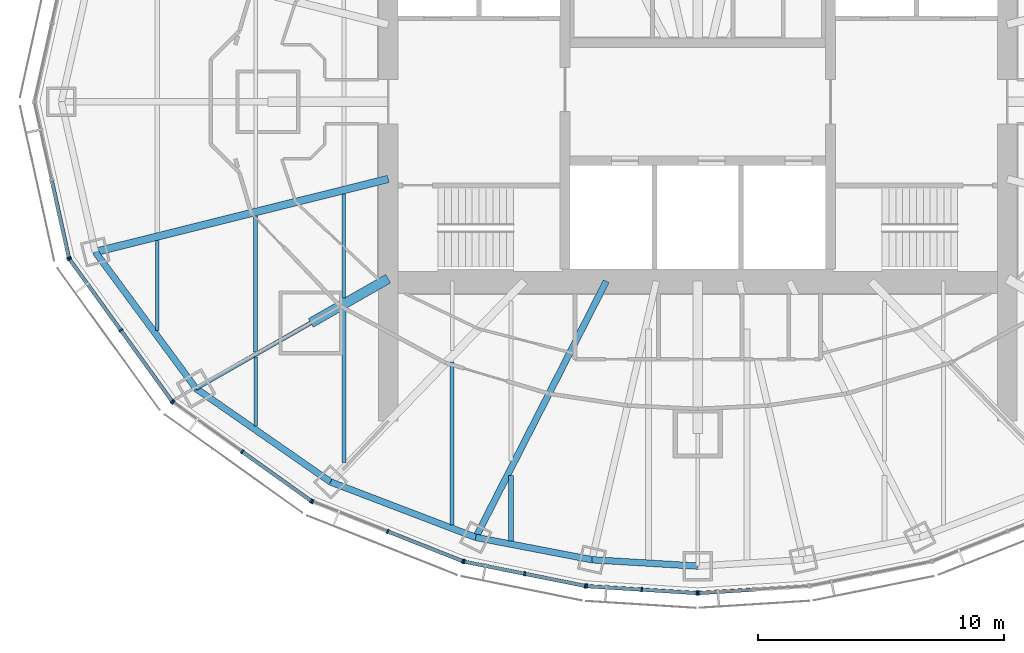
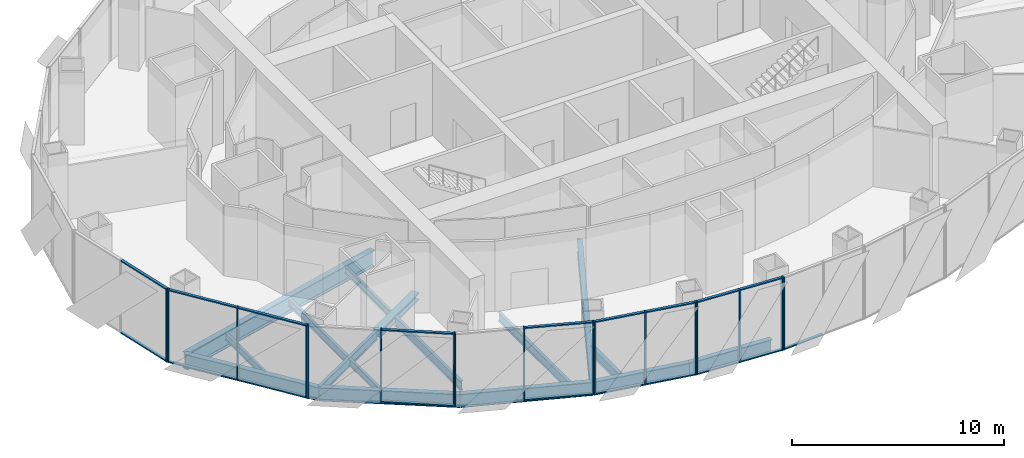
# One storey, part 2 of 17: 36 members, 16 beams, 7 elements without a shape of their own.
"""IFC4 building model written with IfcOpenShell, lengths in metres."""

from ifc_helpers import new_model, si_unit, direction, frame, origin, origin_2d, place, context, subcontext, project, spatial, rectangle, i_section, extrude, material, material_profile, profile_set, type_object, element, aggregate, save


model = new_model("IFC4")

# Units and contexts
model_context = context("Model", 3, precision=1e-05, world=origin(), true_north=direction((0.0, 1.0)))
body_context = subcontext(model_context, "Body", "Model", "MODEL_VIEW")
ifc_project = project(units=[si_unit("LENGTHUNIT", "METRE"), si_unit("AREAUNIT", "SQUARE_METRE"), si_unit("VOLUMEUNIT", "CUBIC_METRE"), si_unit("PLANEANGLEUNIT", "RADIAN"), si_unit("MASSUNIT", "GRAM", prefix="KILO")], contexts=[model_context])

# Site, building, storey
site_placement = place(None, origin())
site = spatial("IfcSite", under=ifc_project, at=site_placement, CompositionType="ELEMENT")
building_placement = place(site_placement, origin())
building = spatial("IfcBuilding", under=site, at=building_placement, Name="Lantaw Convention Tower", CompositionType="ELEMENT")
storey_placement = place(building_placement, frame((0.0, 0.0, 211.60009765625)))
storey = spatial("IfcBuildingStorey", under=building, at=storey_placement, Name="L49", CompositionType="ELEMENT", Elevation=211.60009765625)

# Beams
ifc_material_1 = material(Name="Steel ASTM A992", Category="steel")
ifc_material_profile_1 = material_profile(ifc_material_1, i_section(OverallWidth=0.2666015625, OverallDepth=0.76953125, WebThickness=0.015625, FlangeThickness=0.025390625, FilletRadius=0.0126953125, at=origin_2d()), Name="W30X132")
ifc_profile_set_1 = profile_set([ifc_material_profile_1], Name="Steel ASTM A992")
beam_type_1 = type_object("IfcBeamType", Name="Beam E W30X132", PredefinedType="SPANDREL", material=ifc_profile_set_1)
beam_1_placement = place(storey_placement, frame((-24.52197265625, -6.114013671875, -0.534912109375), z_axis=(0.593639188853, -0.804731329984, 0.0), x_axis=(0.804731329984, 0.593639188853, 0.0)))
element("IfcBeam", 1, at=beam_1_placement, inside=storey, type_object=beam_type_1, Name="Edge beam 14", PredefinedType="SPANDREL", context=body_context, shape_type="SweptSolid", body=[
    extrude(i_section(OverallWidth=0.2666015625, OverallDepth=0.76953125, WebThickness=0.015625, FlangeThickness=0.025390625, FilletRadius=0.0126953125, at=origin_2d()), origin(), (0.0, 0.0, 1.0), 6.904541015625),
])
beam_2_placement = place(storey_placement, frame((-20.423095703125, -11.67041015625, -0.534912109375), z_axis=(0.82135329406, -0.570419815869, 0.0), x_axis=(0.570419815869, 0.82135329406, 0.0)))
element("IfcBeam", 2, at=beam_2_placement, inside=storey, type_object=beam_type_1, Name="Edge beam 15", PredefinedType="SPANDREL", context=body_context, shape_type="SweptSolid", body=[
    extrude(i_section(OverallWidth=0.2666015625, OverallDepth=0.76953125, WebThickness=0.015625, FlangeThickness=0.025390625, FilletRadius=0.0126953125, at=origin_2d()), origin(), (0.0, 0.0, 1.0), 6.67041015625),
])
beam_3_placement = place(storey_placement, frame((-14.9443359375, -15.475341796875, -0.534912109375), z_axis=(0.934234988, -0.356658081637, 0.0), x_axis=(0.356658081637, 0.934234988, 0.0)))
element("IfcBeam", 3, at=beam_3_placement, inside=storey, type_object=beam_type_1, Name="Edge beam 16", PredefinedType="SPANDREL", context=body_context, shape_type="SweptSolid", body=[
    extrude(i_section(OverallWidth=0.2666015625, OverallDepth=0.76953125, WebThickness=0.015625, FlangeThickness=0.025390625, FilletRadius=0.0126953125, at=origin_2d()), origin(), (0.0, 0.0, 1.0), 6.32568359375),
])
beam_4_placement = place(storey_placement, frame((-9.03466796875, -17.7314453125, -0.534912109375), z_axis=(0.981972091702, -0.189025953556, 0.0), x_axis=(0.189025953556, 0.981972091702, 0.0)))
element("IfcBeam", 4, at=beam_4_placement, inside=storey, type_object=beam_type_1, Name="Edge beam 17", PredefinedType="SPANDREL", context=body_context, shape_type="SweptSolid", body=[
    extrude(i_section(OverallWidth=0.2666015625, OverallDepth=0.76953125, WebThickness=0.015625, FlangeThickness=0.025390625, FilletRadius=0.0126953125, at=origin_2d()), origin(), (0.0, 0.0, 1.0), 4.817626953125),
])
beam_5_placement = place(storey_placement, frame((-4.303955078125, -18.64208984375, -0.534912109375), z_axis=(0.998210730897, -0.059794119452, 0.0), x_axis=(0.059794119452, 0.998210730897, 0.0)))
element("IfcBeam", 5, at=beam_5_placement, inside=storey, type_object=beam_type_1, Name="Edge beam 18", PredefinedType="SPANDREL", context=body_context, shape_type="SweptSolid", body=[
    extrude(i_section(OverallWidth=0.2666015625, OverallDepth=0.76953125, WebThickness=0.015625, FlangeThickness=0.025390625, FilletRadius=0.0126953125, at=origin_2d()), origin(), (0.0, 0.0, 1.0), 4.311767578125),
])
ifc_material_profile_2 = material_profile(ifc_material_1, i_section(OverallWidth=0.1650390625, OverallDepth=0.52587890625, WebThickness=0.0087890625, FlangeThickness=0.011474609375, FilletRadius=0.0126953125, at=origin_2d()), Name="W21X44")
ifc_profile_set_2 = profile_set([ifc_material_profile_2], Name="Steel ASTM A992")
beam_type_2 = type_object("IfcBeamType", Name="Beam G W21X44", PredefinedType="BEAM", material=ifc_profile_set_2)
beam_6_placement = place(storey_placement, frame((-15.75, -9.0, -0.4130859375), z_axis=(-0.868237559289, -0.496148708192, 0.0), x_axis=(0.496148708192, -0.868237559289, 0.0)))
element("IfcBeam", 6, at=beam_6_placement, inside=storey, type_object=beam_type_2, Name="Floor girder on ray 15", PredefinedType="BEAM", context=body_context, shape_type="SweptSolid", body=[
    extrude(i_section(OverallWidth=0.1650390625, OverallDepth=0.52587890625, WebThickness=0.0087890625, FlangeThickness=0.011474609375, FilletRadius=0.0126953125, at=origin_2d()), origin(), (0.0, 0.0, 1.0), 5.38232421875),
])
ifc_material_profile_3 = material_profile(ifc_material_1, i_section(OverallWidth=0.2666015625, OverallDepth=0.7568359375, WebThickness=0.013916015625, FlangeThickness=0.019287109375, FilletRadius=0.0126953125, at=origin_2d()), Name="W30X108")
ifc_profile_set_3 = profile_set([ifc_material_profile_3], Name="Steel ASTM A992")
beam_type_3 = type_object("IfcBeamType", Name="Beam G W30X108", PredefinedType="BEAM", material=ifc_profile_set_3)
beam_7_placement = place(storey_placement, frame((-3.719482421875, -7.300048828125, -0.528564453125), z_axis=(-0.4539988787, -0.891002254845, 0.0), x_axis=(0.891002254845, -0.4539988787, 0.0)))
element("IfcBeam", 7, at=beam_7_placement, inside=storey, type_object=beam_type_3, Name="Floor girder on ray 17", PredefinedType="BEAM", context=body_context, shape_type="SweptSolid", body=[
    extrude(i_section(OverallWidth=0.2666015625, OverallDepth=0.7568359375, WebThickness=0.013916015625, FlangeThickness=0.019287109375, FilletRadius=0.0126953125, at=origin_2d()), origin(), (0.0, 0.0, 1.0), 11.70751953125),
])
ifc_material_profile_4 = material_profile(ifc_material_1, i_section(OverallWidth=0.307373046875, OverallDepth=0.9423828125, WebThickness=0.022216796875, FlangeThickness=0.039794921875, FilletRadius=0.0126953125, at=origin_2d()), Name="W36X232")
ifc_profile_set_4 = profile_set([ifc_material_profile_4], Name="Steel ASTM A992")
beam_type_4 = type_object("IfcBeamType", Name="Beam G W36X232", PredefinedType="BEAM", material=ifc_profile_set_4)
beam_8_placement = place(storey_placement, frame((-12.60009765625, -3.1416015625, -0.621337890625), z_axis=(-0.970296589314, -0.241918434119, 0.0), x_axis=(0.241918434119, -0.970296589314, 0.0)))
element("IfcBeam", 8, at=beam_8_placement, inside=storey, type_object=beam_type_4, Name="Floor girder on ray 14", PredefinedType="BEAM", context=body_context, shape_type="SweptSolid", body=[
    extrude(i_section(OverallWidth=0.307373046875, OverallDepth=0.9423828125, WebThickness=0.022216796875, FlangeThickness=0.039794921875, FilletRadius=0.0126953125, at=origin_2d()), origin(), (0.0, 0.0, 1.0), 12.286865234375),
])
ifc_material_profile_5 = material_profile(ifc_material_1, i_section(OverallWidth=0.40380859375, OverallDepth=0.406494140625, WebThickness=0.027099609375, FlangeThickness=0.043701171875, FilletRadius=0.01513671875, at=origin_2d()), Name="W14X233")
ifc_profile_set_5 = profile_set([ifc_material_profile_5], Name="Steel ASTM A992")
beam_type_5 = type_object("IfcBeamType", Name="Beam GM W14X233", PredefinedType="BEAM", material=ifc_profile_set_5)
beam_9_placement = place(storey_placement, frame((-12.60009765625, -7.199951171875, -0.353271484375), z_axis=(-0.868230718294, -0.496160679428, 0.0), x_axis=(0.496160679428, -0.868230718294, 0.0)))
element("IfcBeam", 9, at=beam_9_placement, inside=storey, type_object=beam_type_5, Name="Core link beam on ray 15", PredefinedType="BEAM", context=body_context, shape_type="SweptSolid", body=[
    extrude(i_section(OverallWidth=0.40380859375, OverallDepth=0.406494140625, WebThickness=0.027099609375, FlangeThickness=0.043701171875, FilletRadius=0.01513671875, at=origin_2d()), origin(), (0.0, 0.0, 1.0), 3.6279296875),
])
ifc_material_profile_6 = material_profile(ifc_material_1, i_section(OverallWidth=0.140380859375, OverallDepth=0.40380859375, WebThickness=0.007080078125, FlangeThickness=0.01123046875, FilletRadius=0.01025390625, at=origin_2d()), Name="W16X31")
ifc_profile_set_6 = profile_set([ifc_material_profile_6], Name="Steel ASTM A992")
beam_type_6 = type_object("IfcBeamType", Name="Beam J W16X31", PredefinedType="JOIST", material=ifc_profile_set_6)
beam_10_placement = place(storey_placement, frame((-22.0, -9.30810546875, -0.35205078125), z_axis=(0.0, 1.0, 0.0), x_axis=(-1.0, 0.0, 0.0)))
element("IfcBeam", 10, at=beam_10_placement, inside=storey, type_object=beam_type_6, Name="Floor joist", PredefinedType="JOIST", context=body_context, shape_type="SweptSolid", body=[
    extrude(i_section(OverallWidth=0.140380859375, OverallDepth=0.40380859375, WebThickness=0.007080078125, FlangeThickness=0.01123046875, FilletRadius=0.01025390625, at=origin_2d()), origin(), (0.0, 0.0, 1.0), 3.66455078125),
])
beam_11_placement = place(storey_placement, frame((-18.0, -13.19091796875, -0.35205078125), z_axis=(0.0, 1.0, 0.0), x_axis=(-1.0, 0.0, 0.0)))
element("IfcBeam", 11, at=beam_11_placement, inside=storey, type_object=beam_type_6, Name="Floor joist", PredefinedType="JOIST", context=body_context, shape_type="SweptSolid", body=[
    extrude(i_section(OverallWidth=0.140380859375, OverallDepth=0.40380859375, WebThickness=0.007080078125, FlangeThickness=0.01123046875, FilletRadius=0.01025390625, at=origin_2d()), origin(), (0.0, 0.0, 1.0), 2.81005859375),
])
beam_12_placement = place(storey_placement, frame((-14.39990234375, -7.99609375, -0.35205078125), z_axis=(0.0, 1.0, 0.0), x_axis=(-1.0, 0.0, 0.0)))
element("IfcBeam", 12, at=beam_12_placement, inside=storey, type_object=beam_type_6, Name="Floor joist", PredefinedType="JOIST", context=body_context, shape_type="SweptSolid", body=[
    extrude(i_section(OverallWidth=0.140380859375, OverallDepth=0.40380859375, WebThickness=0.007080078125, FlangeThickness=0.01123046875, FilletRadius=0.01025390625, at=origin_2d()), origin(), (0.0, 0.0, 1.0), 4.247314453125),
])
ifc_material_profile_7 = material_profile(ifc_material_1, i_section(OverallWidth=0.15234375, OverallDepth=0.449462890625, WebThickness=0.007568359375, FlangeThickness=0.0107421875, FilletRadius=0.01025390625, at=origin_2d()), Name="W18X35")
ifc_profile_set_7 = profile_set([ifc_material_profile_7], Name="Steel ASTM A992")
beam_type_7 = type_object("IfcBeamType", Name="Beam J W18X35", PredefinedType="JOIST", material=ifc_profile_set_7)
beam_13_placement = place(storey_placement, frame((-18.0, -10.190673828125, -0.375), z_axis=(0.0, 1.0, 0.0), x_axis=(-1.0, 0.0, 0.0)))
element("IfcBeam", 13, at=beam_13_placement, inside=storey, type_object=beam_type_7, Name="Floor joist", PredefinedType="JOIST", context=body_context, shape_type="SweptSolid", body=[
    extrude(i_section(OverallWidth=0.15234375, OverallDepth=0.449462890625, WebThickness=0.007568359375, FlangeThickness=0.0107421875, FilletRadius=0.01025390625, at=origin_2d()), origin(), (0.0, 0.0, 1.0), 5.54443359375),
])
ifc_material_profile_8 = material_profile(ifc_material_1, i_section(OverallWidth=0.1650390625, OverallDepth=0.52587890625, WebThickness=0.0087890625, FlangeThickness=0.011474609375, FilletRadius=0.0126953125, at=origin_2d()), Name="W21X44")
ifc_profile_set_8 = profile_set([ifc_material_profile_8], Name="Steel ASTM A992")
beam_type_8 = type_object("IfcBeamType", Name="Beam J W21X44", PredefinedType="JOIST", material=ifc_profile_set_8)
beam_14_placement = place(storey_placement, frame((-14.39990234375, -14.67578125, -0.4130859375), z_axis=(0.0, 1.0, 0.0), x_axis=(-1.0, 0.0, 0.0)))
element("IfcBeam", 14, at=beam_14_placement, inside=storey, type_object=beam_type_8, Name="Floor joist", PredefinedType="JOIST", context=body_context, shape_type="SweptSolid", body=[
    extrude(i_section(OverallWidth=0.1650390625, OverallDepth=0.52587890625, WebThickness=0.0087890625, FlangeThickness=0.011474609375, FilletRadius=0.0126953125, at=origin_2d()), origin(), (0.0, 0.0, 1.0), 6.214599609375),
])
beam_15_placement = place(storey_placement, frame((-10.0, -17.22021484375, -0.4130859375), z_axis=(0.0, 1.0, 0.0), x_axis=(-1.0, 0.0, 0.0)))
element("IfcBeam", 15, at=beam_15_placement, inside=storey, type_object=beam_type_8, Name="Floor joist", PredefinedType="JOIST", context=body_context, shape_type="SweptSolid", body=[
    extrude(i_section(OverallWidth=0.1650390625, OverallDepth=0.52587890625, WebThickness=0.0087890625, FlangeThickness=0.011474609375, FilletRadius=0.0126953125, at=origin_2d()), origin(), (0.0, 0.0, 1.0), 6.629150390625),
])
ifc_material_profile_9 = material_profile(ifc_material_1, i_section(OverallWidth=0.2099609375, OverallDepth=0.535888671875, WebThickness=0.010986328125, FlangeThickness=0.017333984375, FilletRadius=0.012939453125, at=origin_2d()), Name="W21X68")
ifc_profile_set_9 = profile_set([ifc_material_profile_9], Name="Steel ASTM A992")
beam_type_9 = type_object("IfcBeamType", Name="Beam J W21X68", PredefinedType="JOIST", material=ifc_profile_set_9)
beam_16_placement = place(storey_placement, frame((-7.60009765625, -17.871826171875, -0.41796875), z_axis=(0.0, 1.0, 0.0), x_axis=(-1.0, 0.0, 0.0)))
element("IfcBeam", 16, at=beam_16_placement, inside=storey, type_object=beam_type_9, Name="Floor joist", PredefinedType="JOIST", context=body_context, shape_type="SweptSolid", body=[
    extrude(i_section(OverallWidth=0.2099609375, OverallDepth=0.535888671875, WebThickness=0.010986328125, FlangeThickness=0.017333984375, FilletRadius=0.012939453125, at=origin_2d()), origin(), (0.0, 0.0, 1.0), 2.662353515625),
])

# Curtain wall, member
ifc_material_2 = material(Name="Aluminium framed curtain wall", Category="aluminium")
curtain_wall_type = type_object("IfcCurtainWallType", Name="Office curtain wall high rise, pale aluminium", PredefinedType="USERDEFINED", material=ifc_material_2)
curtain_wall_1_placement = place(storey_placement, origin())
curtain_wall_1 = element("IfcCurtainWall", 17, at=curtain_wall_1_placement, inside=storey, type_object=curtain_wall_type, Name="Office curtain wall high rise, pale aluminium L49", ObjectType="UNITISED CURTAIN WALL", PredefinedType="USERDEFINED")
ifc_material_3 = material(Name="Aluminium 6063-T6", Category="aluminium")
ifc_material_profile_10 = material_profile(ifc_material_3, rectangle(XDim=0.179931640625, YDim=0.06494140625, at=origin_2d()), Name="CW-O2 mullion 65x180")
ifc_profile_set_10 = profile_set([ifc_material_profile_10], Name="Aluminium 6063-T6")
member_type_1 = type_object("IfcMemberType", Name="CW-O2 mullion 65x180", PredefinedType="MULLION", material=ifc_profile_set_10)
member_1_placement = place(storey_placement, frame((-25.596435546875, -6.348388671875, -0.150146484375), z_axis=(0.0, 0.0, 1.0), x_axis=(0.976417396437, 0.215891333626, 0.0)))
member_1 = element("IfcMember", 18, at=member_1_placement, type_object=member_type_1, Name="CW-O2 mullion 3", PredefinedType="MULLION", context=body_context, shape_type="SweptSolid", body=[
    extrude(rectangle(XDim=0.179931640625, YDim=0.06494140625, at=origin_2d()), origin(), (0.0, 0.0, 1.0), 4.199951171875),
])

# Curtain wall, members
curtain_wall_2_placement = place(storey_placement, origin())
curtain_wall_2 = element("IfcCurtainWall", 19, at=curtain_wall_2_placement, inside=storey, type_object=curtain_wall_type, Name="Office curtain wall high rise, pale aluminium L49", ObjectType="UNITISED CURTAIN WALL", PredefinedType="USERDEFINED")
member_2_placement = place(storey_placement, frame((-25.5703125, -6.406494140625, -0.150146484375), z_axis=(0.0, 0.0, 1.0), x_axis=(0.810919559405, 0.585157643865, 0.0)))
member_2 = element("IfcMember", 20, at=member_2_placement, type_object=member_type_1, Name="CW-O2 mullion 1", PredefinedType="MULLION", context=body_context, shape_type="SweptSolid", body=[
    extrude(rectangle(XDim=0.179931640625, YDim=0.06494140625, at=origin_2d()), origin(), (0.0, 0.0, 1.0), 4.199951171875),
])
member_3_placement = place(storey_placement, frame((-23.483642578125, -9.298095703125, -0.150146484375), z_axis=(0.0, 0.0, 1.0), x_axis=(0.810919559405, 0.585157643865, 0.0)))
member_3 = element("IfcMember", 21, at=member_3_placement, type_object=member_type_1, Name="CW-O2 mullion 2", PredefinedType="MULLION", context=body_context, shape_type="SweptSolid", body=[
    extrude(rectangle(XDim=0.179931640625, YDim=0.06494140625, at=origin_2d()), origin(), (0.0, 0.0, 1.0), 4.199951171875),
])
member_4_placement = place(storey_placement, frame((-21.397216796875, -12.189697265625, -0.150146484375), z_axis=(0.0, 0.0, 1.0), x_axis=(0.810919559405, 0.585157643865, 0.0)))
member_4 = element("IfcMember", 22, at=member_4_placement, type_object=member_type_1, Name="CW-O2 mullion 3", PredefinedType="MULLION", context=body_context, shape_type="SweptSolid", body=[
    extrude(rectangle(XDim=0.179931640625, YDim=0.06494140625, at=origin_2d()), origin(), (0.0, 0.0, 1.0), 4.199951171875),
])

curtain_wall_3_placement = place(storey_placement, origin())
curtain_wall_3 = element("IfcCurtainWall", 23, at=curtain_wall_3_placement, inside=storey, type_object=curtain_wall_type, Name="Office curtain wall high rise, pale aluminium L49", ObjectType="UNITISED CURTAIN WALL", PredefinedType="USERDEFINED")
member_5_placement = place(storey_placement, frame((-21.3515625, -12.23486328125, -0.150146484375), z_axis=(0.0, 0.0, 1.0), x_axis=(0.581323487281, 0.813672540482, 0.0)))
member_5 = element("IfcMember", 24, at=member_5_placement, type_object=member_type_1, Name="CW-O2 mullion 1", PredefinedType="MULLION", context=body_context, shape_type="SweptSolid", body=[
    extrude(rectangle(XDim=0.179931640625, YDim=0.06494140625, at=origin_2d()), origin(), (0.0, 0.0, 1.0), 4.199951171875),
])
member_6_placement = place(storey_placement, frame((-18.543212890625, -14.241455078125, -0.150146484375), z_axis=(0.0, 0.0, 1.0), x_axis=(0.581323487281, 0.813672540482, 0.0)))
member_6 = element("IfcMember", 25, at=member_6_placement, type_object=member_type_1, Name="CW-O2 mullion 2", PredefinedType="MULLION", context=body_context, shape_type="SweptSolid", body=[
    extrude(rectangle(XDim=0.179931640625, YDim=0.06494140625, at=origin_2d()), origin(), (0.0, 0.0, 1.0), 4.199951171875),
])
member_7_placement = place(storey_placement, frame((-15.73486328125, -16.247802734375, -0.150146484375), z_axis=(0.0, 0.0, 1.0), x_axis=(0.581323487281, 0.813672540482, 0.0)))
member_7 = element("IfcMember", 26, at=member_7_placement, type_object=member_type_1, Name="CW-O2 mullion 3", PredefinedType="MULLION", context=body_context, shape_type="SweptSolid", body=[
    extrude(rectangle(XDim=0.179931640625, YDim=0.06494140625, at=origin_2d()), origin(), (0.0, 0.0, 1.0), 4.199951171875),
])

curtain_wall_4_placement = place(storey_placement, origin())
curtain_wall_4 = element("IfcCurtainWall", 27, at=curtain_wall_4_placement, inside=storey, type_object=curtain_wall_type, Name="Office curtain wall high rise, pale aluminium L49", ObjectType="UNITISED CURTAIN WALL", PredefinedType="USERDEFINED")
member_8_placement = place(storey_placement, frame((-15.67822265625, -16.278564453125, -0.150146484375), z_axis=(0.0, 0.0, 1.0), x_axis=(0.368162315252, 0.929761533743, 0.0)))
member_8 = element("IfcMember", 28, at=member_8_placement, type_object=member_type_1, Name="CW-O2 mullion 1", PredefinedType="MULLION", context=body_context, shape_type="SweptSolid", body=[
    extrude(rectangle(XDim=0.179931640625, YDim=0.06494140625, at=origin_2d()), origin(), (0.0, 0.0, 1.0), 4.199951171875),
])
member_9_placement = place(storey_placement, frame((-12.621337890625, -17.4892578125, -0.150146484375), z_axis=(0.0, 0.0, 1.0), x_axis=(0.368162315252, 0.929761533743, 0.0)))
member_9 = element("IfcMember", 29, at=member_9_placement, type_object=member_type_1, Name="CW-O2 mullion 2", PredefinedType="MULLION", context=body_context, shape_type="SweptSolid", body=[
    extrude(rectangle(XDim=0.179931640625, YDim=0.06494140625, at=origin_2d()), origin(), (0.0, 0.0, 1.0), 4.199951171875),
])
member_10_placement = place(storey_placement, frame((-9.564208984375, -18.69970703125, -0.150146484375), z_axis=(0.0, 0.0, 1.0), x_axis=(0.368162315252, 0.929761533743, 0.0)))
member_10 = element("IfcMember", 30, at=member_10_placement, type_object=member_type_1, Name="CW-O2 mullion 3", PredefinedType="MULLION", context=body_context, shape_type="SweptSolid", body=[
    extrude(rectangle(XDim=0.179931640625, YDim=0.06494140625, at=origin_2d()), origin(), (0.0, 0.0, 1.0), 4.199951171875),
])

curtain_wall_5_placement = place(storey_placement, origin())
curtain_wall_5 = element("IfcCurtainWall", 31, at=curtain_wall_5_placement, inside=storey, type_object=curtain_wall_type, Name="Office curtain wall high rise, pale aluminium L49", ObjectType="UNITISED CURTAIN WALL", PredefinedType="USERDEFINED")
member_11_placement = place(storey_placement, frame((-9.502197265625, -18.718017578125, -0.150146484375), z_axis=(0.0, 0.0, 1.0), x_axis=(0.197183095987, 0.980366679695, 0.0)))
member_11 = element("IfcMember", 32, at=member_11_placement, type_object=member_type_1, Name="CW-O2 mullion 1", PredefinedType="MULLION", context=body_context, shape_type="SweptSolid", body=[
    extrude(rectangle(XDim=0.179931640625, YDim=0.06494140625, at=origin_2d()), origin(), (0.0, 0.0, 1.0), 4.199951171875),
])
member_12_placement = place(storey_placement, frame((-7.042724609375, -19.212646484375, -0.150146484375), z_axis=(0.0, 0.0, 1.0), x_axis=(0.197183095987, 0.980366679695, 0.0)))
member_12 = element("IfcMember", 33, at=member_12_placement, type_object=member_type_1, Name="CW-O2 mullion 2", PredefinedType="MULLION", context=body_context, shape_type="SweptSolid", body=[
    extrude(rectangle(XDim=0.179931640625, YDim=0.06494140625, at=origin_2d()), origin(), (0.0, 0.0, 1.0), 4.199951171875),
])
member_13_placement = place(storey_placement, frame((-4.583251953125, -19.70751953125, -0.150146484375), z_axis=(0.0, 0.0, 1.0), x_axis=(0.197183095987, 0.980366679695, 0.0)))
member_13 = element("IfcMember", 34, at=member_13_placement, type_object=member_type_1, Name="CW-O2 mullion 3", PredefinedType="MULLION", context=body_context, shape_type="SweptSolid", body=[
    extrude(rectangle(XDim=0.179931640625, YDim=0.06494140625, at=origin_2d()), origin(), (0.0, 0.0, 1.0), 4.199951171875),
])

curtain_wall_6_placement = place(storey_placement, origin())
curtain_wall_6 = element("IfcCurtainWall", 35, at=curtain_wall_6_placement, inside=storey, type_object=curtain_wall_type, Name="Office curtain wall high rise, pale aluminium L49", ObjectType="UNITISED CURTAIN WALL", PredefinedType="USERDEFINED")
member_14_placement = place(storey_placement, frame((-4.518798828125, -19.7158203125, -0.150146484375), z_axis=(0.0, 0.0, 1.0), x_axis=(0.062757983884, 0.998028774865, 0.0)))
member_14 = element("IfcMember", 36, at=member_14_placement, type_object=member_type_1, Name="CW-O2 mullion 1", PredefinedType="MULLION", context=body_context, shape_type="SweptSolid", body=[
    extrude(rectangle(XDim=0.179931640625, YDim=0.06494140625, at=origin_2d()), origin(), (0.0, 0.0, 1.0), 4.199951171875),
])
member_15_placement = place(storey_placement, frame((-2.275634765625, -19.85693359375, -0.150146484375), z_axis=(0.0, 0.0, 1.0), x_axis=(0.062757983884, 0.998028774865, 0.0)))
member_15 = element("IfcMember", 37, at=member_15_placement, type_object=member_type_1, Name="CW-O2 mullion 2", PredefinedType="MULLION", context=body_context, shape_type="SweptSolid", body=[
    extrude(rectangle(XDim=0.179931640625, YDim=0.06494140625, at=origin_2d()), origin(), (0.0, 0.0, 1.0), 4.199951171875),
])
member_16_placement = place(storey_placement, frame((-0.032470703125, -19.998046875, -0.150146484375), z_axis=(0.0, 0.0, 1.0), x_axis=(0.062757983884, 0.998028774865, 0.0)))
member_16 = element("IfcMember", 38, at=member_16_placement, type_object=member_type_1, Name="CW-O2 mullion 3", PredefinedType="MULLION", context=body_context, shape_type="SweptSolid", body=[
    extrude(rectangle(XDim=0.179931640625, YDim=0.06494140625, at=origin_2d()), origin(), (0.0, 0.0, 1.0), 4.199951171875),
])

# Curtain wall, member
curtain_wall_7_placement = place(storey_placement, origin())
curtain_wall_7 = element("IfcCurtainWall", 39, at=curtain_wall_7_placement, inside=storey, type_object=curtain_wall_type, Name="Office curtain wall high rise, pale aluminium L49", ObjectType="UNITISED CURTAIN WALL", PredefinedType="USERDEFINED")
member_17_placement = place(storey_placement, frame((0.032470703125, -19.998046875, -0.150146484375), z_axis=(0.0, 0.0, 1.0), x_axis=(-0.062757983884, 0.998028774865, 0.0)))
member_17 = element("IfcMember", 40, at=member_17_placement, type_object=member_type_1, Name="CW-O2 mullion 1", PredefinedType="MULLION", context=body_context, shape_type="SweptSolid", body=[
    extrude(rectangle(XDim=0.179931640625, YDim=0.06494140625, at=origin_2d()), origin(), (0.0, 0.0, 1.0), 4.199951171875),
])

# Member
ifc_material_profile_11 = material_profile(ifc_material_3, rectangle(XDim=0.14990234375, YDim=0.06494140625, at=origin_2d()), Name="CW-O2 transom 65x150")
ifc_profile_set_11 = profile_set([ifc_material_profile_11], Name="Aluminium 6063-T6")
member_type_2 = type_object("IfcMemberType", Name="CW-O2 transom 65x150", PredefinedType="USERDEFINED", material=ifc_profile_set_11)
member_18_placement = place(storey_placement, frame((-26.28759765625, -3.2216796875, -0.11767578125), z_axis=(0.215894607042, -0.976416672661, 0.0), x_axis=(0.976416672661, 0.215894607042, 0.0)))
member_18 = element("IfcMember", 41, at=member_18_placement, type_object=member_type_2, Name="CW-O2 transom 2.1", ObjectType="TRANSOM", PredefinedType="USERDEFINED", context=body_context, shape_type="SweptSolid", body=[
    extrude(rectangle(XDim=0.14990234375, YDim=0.06494140625, at=origin_2d()), origin(), (0.0, 0.0, 1.0), 3.169677734375),
])

member_19_placement = place(storey_placement, frame((-26.28759765625, -3.2216796875, 4.017333984375), z_axis=(0.215894607042, -0.976416672661, 0.0), x_axis=(0.976416672661, 0.215894607042, 0.0)))
member_19 = element("IfcMember", 42, at=member_19_placement, type_object=member_type_2, Name="CW-O2 transom 2.2", ObjectType="TRANSOM", PredefinedType="USERDEFINED", context=body_context, shape_type="SweptSolid", body=[
    extrude(rectangle(XDim=0.14990234375, YDim=0.06494140625, at=origin_2d()), origin(), (0.0, 0.0, 1.0), 3.169677734375),
])

aggregate(curtain_wall_1, [member_1, member_18, member_19])

member_20_placement = place(storey_placement, frame((-25.55126953125, -6.432861328125, -0.11767578125), z_axis=(0.585169685931, -0.810910869743, 0.0), x_axis=(0.810910869743, 0.585169685931, 0.0)))
member_20 = element("IfcMember", 43, at=member_20_placement, type_object=member_type_2, Name="CW-O2 transom 1.1", ObjectType="TRANSOM", PredefinedType="USERDEFINED", context=body_context, shape_type="SweptSolid", body=[
    extrude(rectangle(XDim=0.14990234375, YDim=0.06494140625, at=origin_2d()), origin(), (0.0, 0.0, 1.0), 3.500732421875),
])

member_21_placement = place(storey_placement, frame((-25.55126953125, -6.432861328125, 4.017333984375), z_axis=(0.585169685931, -0.810910869743, 0.0), x_axis=(0.810910869743, 0.585169685931, 0.0)))
member_21 = element("IfcMember", 44, at=member_21_placement, type_object=member_type_2, Name="CW-O2 transom 1.2", ObjectType="TRANSOM", PredefinedType="USERDEFINED", context=body_context, shape_type="SweptSolid", body=[
    extrude(rectangle(XDim=0.14990234375, YDim=0.06494140625, at=origin_2d()), origin(), (0.0, 0.0, 1.0), 3.500732421875),
])

member_22_placement = place(storey_placement, frame((-23.464599609375, -9.324462890625, -0.11767578125), z_axis=(0.585123825205, -0.810943961798, 0.0), x_axis=(0.810943961798, 0.585123825205, 0.0)))
member_22 = element("IfcMember", 45, at=member_22_placement, type_object=member_type_2, Name="CW-O2 transom 2.1", ObjectType="TRANSOM", PredefinedType="USERDEFINED", context=body_context, shape_type="SweptSolid", body=[
    extrude(rectangle(XDim=0.14990234375, YDim=0.06494140625, at=origin_2d()), origin(), (0.0, 0.0, 1.0), 3.500732421875),
])

member_23_placement = place(storey_placement, frame((-23.464599609375, -9.324462890625, 4.017333984375), z_axis=(0.585123825205, -0.810943961798, 0.0), x_axis=(0.810943961798, 0.585123825205, 0.0)))
member_23 = element("IfcMember", 46, at=member_23_placement, type_object=member_type_2, Name="CW-O2 transom 2.2", ObjectType="TRANSOM", PredefinedType="USERDEFINED", context=body_context, shape_type="SweptSolid", body=[
    extrude(rectangle(XDim=0.14990234375, YDim=0.06494140625, at=origin_2d()), origin(), (0.0, 0.0, 1.0), 3.500732421875),
])

aggregate(curtain_wall_2, [member_2, member_3, member_4, member_20, member_21, member_22, member_23])

member_24_placement = place(storey_placement, frame((-18.516845703125, -14.26025390625, -0.11767578125), z_axis=(0.813645780821, -0.581360940683, 0.0), x_axis=(0.581360940683, 0.813645780821, 0.0)))
member_24 = element("IfcMember", 47, at=member_24_placement, type_object=member_type_2, Name="CW-O2 transom 2.1", ObjectType="TRANSOM", PredefinedType="USERDEFINED", context=body_context, shape_type="SweptSolid", body=[
    extrude(rectangle(XDim=0.14990234375, YDim=0.06494140625, at=origin_2d()), origin(), (0.0, 0.0, 1.0), 3.386474609375),
])

member_25_placement = place(storey_placement, frame((-18.516845703125, -14.26025390625, 4.017333984375), z_axis=(0.813645780821, -0.581360940683, 0.0), x_axis=(0.581360940683, 0.813645780821, 0.0)))
member_25 = element("IfcMember", 48, at=member_25_placement, type_object=member_type_2, Name="CW-O2 transom 2.2", ObjectType="TRANSOM", PredefinedType="USERDEFINED", context=body_context, shape_type="SweptSolid", body=[
    extrude(rectangle(XDim=0.14990234375, YDim=0.06494140625, at=origin_2d()), origin(), (0.0, 0.0, 1.0), 3.386474609375),
])

aggregate(curtain_wall_3, [member_5, member_6, member_7, member_24, member_25])

member_26_placement = place(storey_placement, frame((-12.591064453125, -17.501220703125, -0.11767578125), z_axis=(0.929766642946, -0.368149412149, 0.0), x_axis=(0.368149412149, 0.929766642946, 0.0)))
member_26 = element("IfcMember", 49, at=member_26_placement, type_object=member_type_2, Name="CW-O2 transom 2.1", ObjectType="TRANSOM", PredefinedType="USERDEFINED", context=body_context, shape_type="SweptSolid", body=[
    extrude(rectangle(XDim=0.14990234375, YDim=0.06494140625, at=origin_2d()), origin(), (0.0, 0.0, 1.0), 3.222900390625),
])

member_27_placement = place(storey_placement, frame((-12.591064453125, -17.501220703125, 4.017333984375), z_axis=(0.929766642946, -0.368149412149, 0.0), x_axis=(0.368149412149, 0.929766642946, 0.0)))
member_27 = element("IfcMember", 50, at=member_27_placement, type_object=member_type_2, Name="CW-O2 transom 2.2", ObjectType="TRANSOM", PredefinedType="USERDEFINED", context=body_context, shape_type="SweptSolid", body=[
    extrude(rectangle(XDim=0.14990234375, YDim=0.06494140625, at=origin_2d()), origin(), (0.0, 0.0, 1.0), 3.222900390625),
])

aggregate(curtain_wall_4, [member_8, member_9, member_10, member_26, member_27])

member_28_placement = place(storey_placement, frame((-9.47021484375, -18.724365234375, -0.11767578125), z_axis=(0.98036104319, -0.197211117829, 0.0), x_axis=(0.197211117829, 0.98036104319, 0.0)))
member_28 = element("IfcMember", 51, at=member_28_placement, type_object=member_type_2, Name="CW-O2 transom 1.1", ObjectType="TRANSOM", PredefinedType="USERDEFINED", context=body_context, shape_type="SweptSolid", body=[
    extrude(rectangle(XDim=0.14990234375, YDim=0.06494140625, at=origin_2d()), origin(), (0.0, 0.0, 1.0), 2.44384765625),
])

member_29_placement = place(storey_placement, frame((-9.47021484375, -18.724365234375, 4.017333984375), z_axis=(0.98036104319, -0.197211117829, 0.0), x_axis=(0.197211117829, 0.98036104319, 0.0)))
member_29 = element("IfcMember", 52, at=member_29_placement, type_object=member_type_2, Name="CW-O2 transom 1.2", ObjectType="TRANSOM", PredefinedType="USERDEFINED", context=body_context, shape_type="SweptSolid", body=[
    extrude(rectangle(XDim=0.14990234375, YDim=0.06494140625, at=origin_2d()), origin(), (0.0, 0.0, 1.0), 2.44384765625),
])

member_30_placement = place(storey_placement, frame((-7.0107421875, -19.21923828125, -0.11767578125), z_axis=(0.980380354178, -0.197115096178, 0.0), x_axis=(0.197115096178, 0.980380354178, 0.0)))
member_30 = element("IfcMember", 53, at=member_30_placement, type_object=member_type_2, Name="CW-O2 transom 2.1", ObjectType="TRANSOM", PredefinedType="USERDEFINED", context=body_context, shape_type="SweptSolid", body=[
    extrude(rectangle(XDim=0.14990234375, YDim=0.06494140625, at=origin_2d()), origin(), (0.0, 0.0, 1.0), 2.443603515625),
])

member_31_placement = place(storey_placement, frame((-7.0107421875, -19.21923828125, 4.017333984375), z_axis=(0.980380354178, -0.197115096178, 0.0), x_axis=(0.197115096178, 0.980380354178, 0.0)))
member_31 = element("IfcMember", 54, at=member_31_placement, type_object=member_type_2, Name="CW-O2 transom 2.2", ObjectType="TRANSOM", PredefinedType="USERDEFINED", context=body_context, shape_type="SweptSolid", body=[
    extrude(rectangle(XDim=0.14990234375, YDim=0.06494140625, at=origin_2d()), origin(), (0.0, 0.0, 1.0), 2.443603515625),
])

aggregate(curtain_wall_5, [member_11, member_12, member_13, member_28, member_29, member_30, member_31])

member_32_placement = place(storey_placement, frame((-4.486328125, -19.7177734375, -0.11767578125), z_axis=(0.998021991509, -0.062865765437, 0.0), x_axis=(0.062865765437, 0.998021991509, 0.0)))
member_32 = element("IfcMember", 55, at=member_32_placement, type_object=member_type_2, Name="CW-O2 transom 1.1", ObjectType="TRANSOM", PredefinedType="USERDEFINED", context=body_context, shape_type="SweptSolid", body=[
    extrude(rectangle(XDim=0.14990234375, YDim=0.06494140625, at=origin_2d()), origin(), (0.0, 0.0, 1.0), 2.1826171875),
])

member_33_placement = place(storey_placement, frame((-4.486328125, -19.7177734375, 4.017333984375), z_axis=(0.998021991509, -0.062865765437, 0.0), x_axis=(0.062865765437, 0.998021991509, 0.0)))
member_33 = element("IfcMember", 56, at=member_33_placement, type_object=member_type_2, Name="CW-O2 transom 1.2", ObjectType="TRANSOM", PredefinedType="USERDEFINED", context=body_context, shape_type="SweptSolid", body=[
    extrude(rectangle(XDim=0.14990234375, YDim=0.06494140625, at=origin_2d()), origin(), (0.0, 0.0, 1.0), 2.1826171875),
])

member_34_placement = place(storey_placement, frame((-2.2431640625, -19.85888671875, -0.11767578125), z_axis=(0.998029003644, -0.062754345555, 0.0), x_axis=(0.062754345555, 0.998029003644, 0.0)))
member_34 = element("IfcMember", 57, at=member_34_placement, type_object=member_type_2, Name="CW-O2 transom 2.1", ObjectType="TRANSOM", PredefinedType="USERDEFINED", context=body_context, shape_type="SweptSolid", body=[
    extrude(rectangle(XDim=0.14990234375, YDim=0.06494140625, at=origin_2d()), origin(), (0.0, 0.0, 1.0), 2.1826171875),
])

member_35_placement = place(storey_placement, frame((-2.2431640625, -19.85888671875, 4.017333984375), z_axis=(0.998029003644, -0.062754345555, 0.0), x_axis=(0.062754345555, 0.998029003644, 0.0)))
member_35 = element("IfcMember", 58, at=member_35_placement, type_object=member_type_2, Name="CW-O2 transom 2.2", ObjectType="TRANSOM", PredefinedType="USERDEFINED", context=body_context, shape_type="SweptSolid", body=[
    extrude(rectangle(XDim=0.14990234375, YDim=0.06494140625, at=origin_2d()), origin(), (0.0, 0.0, 1.0), 2.1826171875),
])

aggregate(curtain_wall_6, [member_14, member_15, member_16, member_32, member_33, member_34, member_35])

member_36_placement = place(storey_placement, frame((0.06494140625, -19.995849609375, -0.11767578125), z_axis=(0.998029003644, 0.062754345555, 0.0), x_axis=(-0.062754345555, 0.998029003644, 0.0)))
member_36 = element("IfcMember", 59, at=member_36_placement, type_object=member_type_2, Name="CW-O2 transom 1.1", ObjectType="TRANSOM", PredefinedType="USERDEFINED", context=body_context, shape_type="SweptSolid", body=[
    extrude(rectangle(XDim=0.14990234375, YDim=0.06494140625, at=origin_2d()), origin(), (0.0, 0.0, 1.0), 2.1826171875),
])

aggregate(curtain_wall_7, [member_17, member_36])

save(model, "model.ifc")
